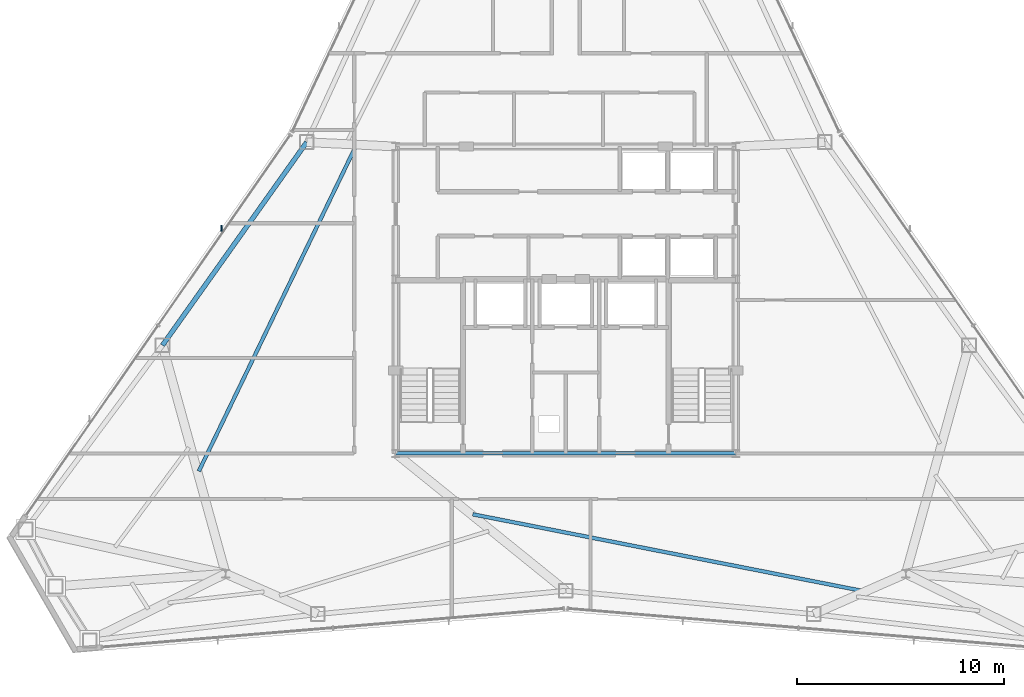
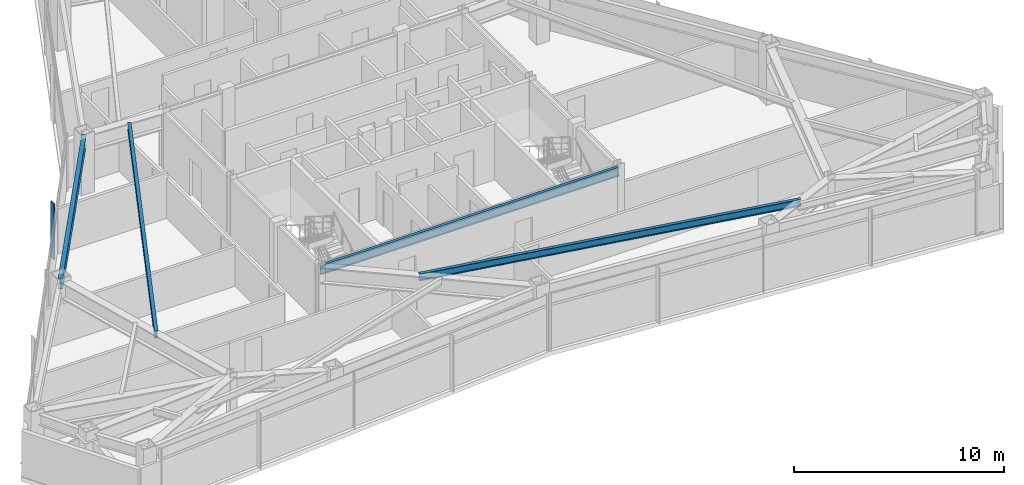
# One storey, part 4 of 12: 4 beams, 1 member, 1 element without a shape of its own.
"""IFC4 building model written with IfcOpenShell, lengths in metres."""

from ifc_helpers import new_model, si_unit, direction, frame, origin, origin_2d, place, context, subcontext, project, spatial, rectangle, i_section, extrude, source, transform, mapped, material, layer, layer_set, material_profile, profile_set, type_object, type_shapes, element, aggregate, save


model = new_model("IFC4")

# Units and contexts
model_context = context("Model", 3, precision=1e-05, world=origin(), true_north=direction((0.0, 1.0)))
body_context = subcontext(model_context, "Body", "Model", "MODEL_VIEW")
ifc_project = project(units=[si_unit("LENGTHUNIT", "METRE"), si_unit("AREAUNIT", "SQUARE_METRE"), si_unit("VOLUMEUNIT", "CUBIC_METRE"), si_unit("PLANEANGLEUNIT", "RADIAN"), si_unit("MASSUNIT", "GRAM", prefix="KILO")], contexts=[model_context])

# Site, building, storey
site_placement = place(None, origin())
site = spatial("IfcSite", under=ifc_project, at=site_placement, CompositionType="ELEMENT")
building_placement = place(site_placement, origin())
building = spatial("IfcBuilding", under=site, at=building_placement, Name="Varakhsha Concourse Tower", CompositionType="ELEMENT")
storey_placement = place(building_placement, frame((0.0, 0.0, 225.89990234375)))
storey = spatial("IfcBuildingStorey", under=building, at=storey_placement, Name="L64", CompositionType="ELEMENT", Elevation=225.89990234375)

# Beams
ifc_material_1 = material(Name="Structural Steel ASTM A992 Grade 50", Category="steel")
ifc_material_profile_1 = material_profile(ifc_material_1, i_section(OverallWidth=0.177978515625, OverallDepth=0.406982421875, WebThickness=0.008056640625, FlangeThickness=0.012939453125, at=origin_2d()), Name="W16X40")
ifc_profile_set_1 = profile_set([ifc_material_profile_1], Name="Structural Steel ASTM A992 Grade 50")
beam_type_1 = type_object("IfcBeamType", Name="BM-JST-W16X40", PredefinedType="JOIST", material=ifc_profile_set_1)
beam_1_placement = place(storey_placement, frame((29.864501953125, 31.19384765625, 3.046630859375), z_axis=(-0.434908583174, -0.90047461057, 0.0), x_axis=(0.90047461057, -0.434908583174, 0.0)))
element("IfcBeam", 1, at=beam_1_placement, inside=storey, type_object=beam_type_1, Name="BM-TJST-L64-05", PredefinedType="JOIST", context=body_context, shape_type="SweptSolid", body=[
    extrude(i_section(OverallWidth=0.177978515625, OverallDepth=0.406982421875, WebThickness=0.008056640625, FlangeThickness=0.012939453125, at=origin_2d()), origin(), (0.0, 0.0, 1.0), 17.37646484375),
])
beam_2_placement = place(storey_placement, frame((35.515869140625, 13.465087890625, 3.046630859375), z_axis=(0.981202714164, -0.192979879045, 0.0), x_axis=(0.192979879045, 0.981202714164, 0.0)))
element("IfcBeam", 2, at=beam_2_placement, inside=storey, type_object=beam_type_1, Name="BM-TJST-L64-11", PredefinedType="JOIST", context=body_context, shape_type="SweptSolid", body=[
    extrude(i_section(OverallWidth=0.177978515625, OverallDepth=0.406982421875, WebThickness=0.008056640625, FlangeThickness=0.012939453125, at=origin_2d()), origin(), (0.0, 0.0, 1.0), 19.182861328125),
])
ifc_material_profile_2 = material_profile(ifc_material_1, i_section(OverallWidth=0.1669921875, OverallDepth=0.534912109375, WebThickness=0.010009765625, FlangeThickness=0.01708984375, at=origin_2d()), Name="W21X57")
ifc_profile_set_2 = profile_set([ifc_material_profile_2], Name="Structural Steel ASTM A992 Grade 50")
beam_type_2 = type_object("IfcBeamType", Name="BM-RAD-W21X57", PredefinedType="BEAM", material=ifc_profile_set_2)
beam_3_placement = place(storey_placement, frame((31.800048828125, 16.39990234375, 2.982666015625), z_axis=(1.0, 0.0, 0.0), x_axis=(0.0, 1.0, 0.0)))
element("IfcBeam", 3, at=beam_3_placement, inside=storey, type_object=beam_type_2, Name="BM-TCORE-L64-CS", PredefinedType="BEAM", context=body_context, shape_type="SweptSolid", body=[
    extrude(i_section(OverallWidth=0.1669921875, OverallDepth=0.534912109375, WebThickness=0.010009765625, FlangeThickness=0.01708984375, at=origin_2d()), origin(), (0.0, 0.0, 1.0), 16.39990234375),
])
ifc_material_profile_3 = material_profile(ifc_material_1, i_section(OverallWidth=0.22900390625, OverallDepth=0.612060546875, WebThickness=0.011962890625, FlangeThickness=0.02001953125, at=origin_2d()), Name="W24X84")
ifc_profile_set_3 = profile_set([ifc_material_profile_3], Name="Structural Steel ASTM A992 Grade 50")
beam_type_3 = type_object("IfcBeamType", Name="BM-SPAN-W24X84", PredefinedType="SPANDREL", material=ifc_profile_set_3)
beam_4_placement = place(storey_placement, frame((27.510009765625, 31.4111328125, 2.944091796875), z_axis=(-0.579107968435, -0.815250857648, 0.0), x_axis=(0.815250857648, -0.579107968435, 0.0)))
element("IfcBeam", 4, at=beam_4_placement, inside=storey, type_object=beam_type_3, Name="BM-SPAN-L64-05", PredefinedType="SPANDREL", context=body_context, shape_type="SweptSolid", body=[
    extrude(i_section(OverallWidth=0.22900390625, OverallDepth=0.612060546875, WebThickness=0.011962890625, FlangeThickness=0.02001953125, at=origin_2d()), origin(), (0.0, 0.0, 1.0), 12.012451171875),
])

# Curtain wall, member
ifc_material_2 = material(Name="Anodised Bronze Architectural Aluminium AA 6063-T6", Category="aluminium")
ifc_layer = layer(ifc_material_2, 0.199951171875, Name="CW-SYS-05")
ifc_layer_set = layer_set([ifc_layer], Name="Anodised Bronze Architectural Aluminium AA 6063-T6")
curtain_wall_type = type_object("IfcCurtainWallType", Name="CW-SYS-05", PredefinedType="NOTDEFINED", material=ifc_layer_set)
curtain_wall_placement = place(storey_placement, origin())
curtain_wall = element("IfcCurtainWall", 5, at=curtain_wall_placement, inside=storey, type_object=curtain_wall_type, Name="L64 Crystal Curtain Wall F3", PredefinedType="NOTDEFINED")
ifc_material_profile_4 = material_profile(ifc_material_2, rectangle(XDim=0.054931640625, YDim=0.300048828125, at=origin_2d()), Name="FIN-BRZ-300")
ifc_profile_set_4 = profile_set([ifc_material_profile_4], Name="Anodised Bronze Architectural Aluminium AA 6063-T6")
member_type = type_object("IfcMemberType", Name="FIN-BRZ-300", PredefinedType="USERDEFINED", material=ifc_profile_set_4)
shared_shape = source(origin(), body_context, "Body", "SweptSolid", [
    extrude(rectangle(XDim=0.054931640625, YDim=0.300048828125, at=origin_2d()), origin(), (0.0, 0.0, 1.0), 3.25),
])
type_shapes(member_type, [shared_shape])
member_placement = place(storey_placement, frame((23.396240234375, 27.263671875, 0.0), z_axis=(0.0, 0.0, 1.0), x_axis=(1.0, 0.0, 0.0)))
member = element("IfcMember", 6, at=member_placement, type_object=member_type, Name="L64 Anodised Bronze Solar Fin F3-2", ObjectType="SOLAR FIN", PredefinedType="USERDEFINED", context=body_context, shape_type="MappedRepresentation", body=[
    mapped(shared_shape, transform((0.0, 0.0, 0.0), scale=1.0)),
])
aggregate(curtain_wall, [member])

save(model, "model.ifc")
